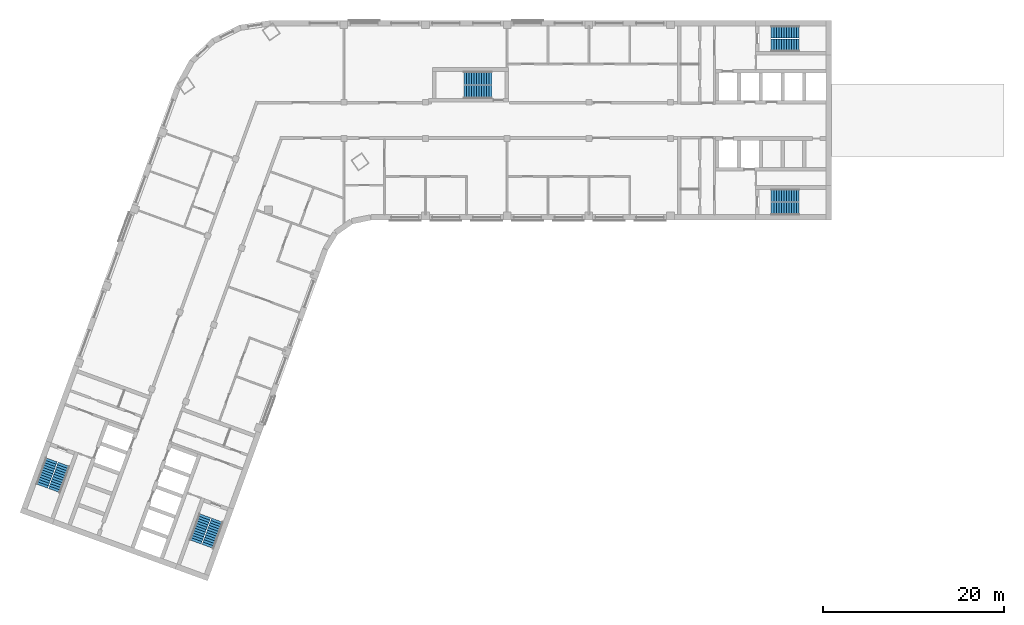
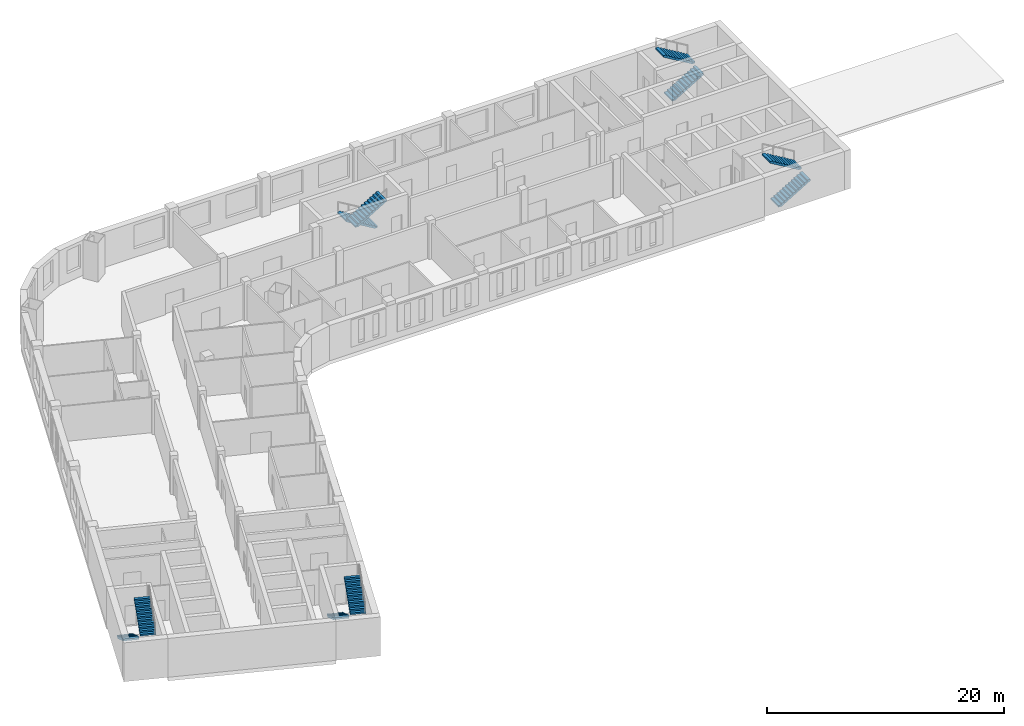
# One storey, part 7 of 8: 10 stair flights, 5 elements without a shape of their own.
"""IFC4 building model written with IfcOpenShell, lengths in metres."""

from ifc_helpers import new_model, si_unit, direction, frame, origin, place, context, subcontext, project, spatial, polyline, outline, extrude, material, type_object, element, aggregate, save


model = new_model("IFC4")

# Units and contexts
model_context = context("Model", 3, precision=1e-05, world=origin(), true_north=direction((0.0, 1.0)))
body_context = subcontext(model_context, "Body", "Model", "MODEL_VIEW")
ifc_project = project(units=[si_unit("LENGTHUNIT", "METRE"), si_unit("AREAUNIT", "SQUARE_METRE"), si_unit("VOLUMEUNIT", "CUBIC_METRE"), si_unit("PLANEANGLEUNIT", "RADIAN"), si_unit("MASSUNIT", "GRAM", prefix="KILO")], contexts=[model_context])

# Site, building, storey
site_placement = place(None, origin())
site = spatial("IfcSite", under=ifc_project, at=site_placement, CompositionType="ELEMENT")
building_placement = place(site_placement, origin())
building = spatial("IfcBuilding", under=site, at=building_placement, Name="Skarvind Civic Tower", CompositionType="ELEMENT")
storey_placement = place(building_placement, frame((0.0, 0.0, 121.0)))
storey = spatial("IfcBuildingStorey", under=building, at=storey_placement, Name="L28", CompositionType="ELEMENT", Elevation=121.0)

# Stair, stair flights
ifc_material = material(Name="Concrete C40/50", Category="concrete")
stair_type_1 = type_object("IfcStairType", Name="Exit stair 1450, half-turn, concrete", PredefinedType="HALF_TURN_STAIR", material=ifc_material)
stair_1_placement = place(storey_placement, origin())
stair_1 = element("IfcStair", 1, at=stair_1_placement, inside=storey, type_object=stair_type_1, Name="Exit stair CM", PredefinedType="HALF_TURN_STAIR")
stair_flight_type_1 = type_object("IfcStairFlightType", Name="Stair flight 1450, concrete", PredefinedType="STRAIGHT", material=ifc_material)
stair_flight_1_placement = place(storey_placement, frame((70.550048828125, 132.675048828125, 0.0), z_axis=(0.0, 0.0, 1.0), x_axis=(-1.0, 0.0, 0.0)))
stair_flight_1 = element("IfcStairFlight", 2, at=stair_flight_1_placement, type_object=stair_flight_type_1, Name="ST-CM flight 1", NumberOfRisers=12, NumberOfTreads=11, PredefinedType="STRAIGHT", RiserHeight=0.166666667, TreadLength=0.28, context=body_context, shape_type="SweptSolid", body=[
    extrude(outline(polyline([(0.0, 0.0), (0.0, 0.166748046875), (0.280029296875, 0.166748046875), (0.280029296875, 0.333251953125), (0.56005859375, 0.333251953125), (0.56005859375, 0.5), (0.840087890625, 0.5), (0.840087890625, 0.666748046875), (1.1201171875, 0.666748046875), (1.1201171875, 0.833251953125), (1.39990234375, 0.833251953125), (1.39990234375, 1.0), (1.679931640625, 1.0), (1.679931640625, 1.166748046875), (1.9599609375, 1.166748046875), (1.9599609375, 1.333251953125), (2.239990234375, 1.333251953125), (2.239990234375, 1.5), (2.52001953125, 1.5), (2.52001953125, 1.666748046875), (2.800048828125, 1.666748046875), (2.800048828125, 1.833251953125), (3.080078125, 1.833251953125), (3.080078125, 2.0), (3.080078125, 1.658935546875), (0.29296875, 0.0), (0.0, 0.0)])), frame((0.0, 0.72509765625, 0.0), z_axis=(0.0, -1.0, 0.0), x_axis=(1.0, 0.0, 0.0)), (0.0, 0.0, 1.0), 1.449951171875),
])
stair_flight_2_placement = place(storey_placement, frame((67.469970703125, 131.125, 2.0), z_axis=(0.0, 0.0, 1.0), x_axis=(1.0, 0.0, 0.0)))
stair_flight_2 = element("IfcStairFlight", 3, at=stair_flight_2_placement, type_object=stair_flight_type_1, Name="ST-CM flight 2", NumberOfRisers=12, NumberOfTreads=11, PredefinedType="STRAIGHT", RiserHeight=0.166666667, TreadLength=0.28, context=body_context, shape_type="SweptSolid", body=[
    extrude(outline(polyline([(0.0, 0.0), (0.0, 0.166748046875), (0.280029296875, 0.166748046875), (0.280029296875, 0.333251953125), (0.56005859375, 0.333251953125), (0.56005859375, 0.5), (0.840087890625, 0.5), (0.840087890625, 0.666748046875), (1.1201171875, 0.666748046875), (1.1201171875, 0.833251953125), (1.39990234375, 0.833251953125), (1.39990234375, 1.0), (1.679931640625, 1.0), (1.679931640625, 1.166748046875), (1.9599609375, 1.166748046875), (1.9599609375, 1.333251953125), (2.239990234375, 1.333251953125), (2.239990234375, 1.5), (2.52001953125, 1.5), (2.52001953125, 1.666748046875), (2.800048828125, 1.666748046875), (2.800048828125, 1.833251953125), (3.080078125, 1.833251953125), (3.080078125, 2.0), (3.080078125, 1.658935546875), (0.29296875, 0.0), (0.0, 0.0)])), frame((0.0, 0.72509765625, 0.0), z_axis=(0.0, -1.0, 0.0), x_axis=(1.0, 0.0, 0.0)), (0.0, 0.0, 1.0), 1.449951171875),
])
aggregate(stair_1, [stair_flight_1, stair_flight_2])

stair_type_2 = type_object("IfcStairType", Name="Exit stair, half-turn, concrete", PredefinedType="HALF_TURN_STAIR", material=ifc_material)
stair_2_placement = place(storey_placement, origin())
stair_2 = element("IfcStair", 4, at=stair_2_placement, inside=storey, type_object=stair_type_2, Name="Exit stair C1S", PredefinedType="HALF_TURN_STAIR")
stair_flight_type_2 = type_object("IfcStairFlightType", Name="Stair flight, concrete", PredefinedType="STRAIGHT", material=ifc_material)
stair_flight_3_placement = place(storey_placement, frame((101.35009765625, 136.27490234375, 0.0), z_axis=(0.0, 0.0, 1.0), x_axis=(1.0, 0.0, 0.0)))
stair_flight_3 = element("IfcStairFlight", 5, at=stair_flight_3_placement, type_object=stair_flight_type_2, Name="ST-C1S flight 1", NumberOfRisers=12, NumberOfTreads=11, PredefinedType="STRAIGHT", RiserHeight=0.166666667, TreadLength=0.28, context=body_context, shape_type="SweptSolid", body=[
    extrude(outline(polyline([(0.0, 0.0), (0.0, 0.166748046875), (0.280029296875, 0.166748046875), (0.280029296875, 0.333251953125), (0.56005859375, 0.333251953125), (0.56005859375, 0.5), (0.840087890625, 0.5), (0.840087890625, 0.666748046875), (1.1201171875, 0.666748046875), (1.1201171875, 0.833251953125), (1.39990234375, 0.833251953125), (1.39990234375, 1.0), (1.679931640625, 1.0), (1.679931640625, 1.166748046875), (1.9599609375, 1.166748046875), (1.9599609375, 1.333251953125), (2.239990234375, 1.333251953125), (2.239990234375, 1.5), (2.52001953125, 1.5), (2.52001953125, 1.666748046875), (2.800048828125, 1.666748046875), (2.800048828125, 1.833251953125), (3.080078125, 1.833251953125), (3.080078125, 2.0), (3.080078125, 1.658935546875), (0.29296875, 0.0), (0.0, 0.0)])), frame((0.0, 0.675048828125, 0.0), z_axis=(0.0, -1.0, 0.0), x_axis=(1.0, 0.0, 0.0)), (0.0, 0.0, 1.0), 1.35009765625),
])
stair_flight_4_placement = place(storey_placement, frame((104.429931640625, 137.72509765625, 2.0), z_axis=(0.0, 0.0, 1.0), x_axis=(-1.0, 0.0, 0.0)))
stair_flight_4 = element("IfcStairFlight", 6, at=stair_flight_4_placement, type_object=stair_flight_type_2, Name="ST-C1S flight 2", NumberOfRisers=12, NumberOfTreads=11, PredefinedType="STRAIGHT", RiserHeight=0.166666667, TreadLength=0.28, context=body_context, shape_type="SweptSolid", body=[
    extrude(outline(polyline([(0.0, 0.0), (0.0, 0.166748046875), (0.280029296875, 0.166748046875), (0.280029296875, 0.333251953125), (0.56005859375, 0.333251953125), (0.56005859375, 0.5), (0.840087890625, 0.5), (0.840087890625, 0.666748046875), (1.1201171875, 0.666748046875), (1.1201171875, 0.833251953125), (1.39990234375, 0.833251953125), (1.39990234375, 1.0), (1.679931640625, 1.0), (1.679931640625, 1.166748046875), (1.9599609375, 1.166748046875), (1.9599609375, 1.333251953125), (2.239990234375, 1.333251953125), (2.239990234375, 1.5), (2.52001953125, 1.5), (2.52001953125, 1.666748046875), (2.800048828125, 1.666748046875), (2.800048828125, 1.833251953125), (3.080078125, 1.833251953125), (3.080078125, 2.0), (3.080078125, 1.658935546875), (0.29296875, 0.0), (0.0, 0.0)])), frame((0.0, 0.675048828125, 0.0), z_axis=(0.0, -1.0, 0.0), x_axis=(1.0, 0.0, 0.0)), (0.0, 0.0, 1.0), 1.35009765625),
])
aggregate(stair_2, [stair_flight_3, stair_flight_4])

stair_3_placement = place(storey_placement, origin())
stair_3 = element("IfcStair", 7, at=stair_3_placement, inside=storey, type_object=stair_type_2, Name="Exit stair C1N", PredefinedType="HALF_TURN_STAIR")
stair_flight_5_placement = place(storey_placement, frame((101.35009765625, 118.27490234375, 0.0), z_axis=(0.0, 0.0, 1.0), x_axis=(1.0, 0.0, 0.0)))
stair_flight_5 = element("IfcStairFlight", 8, at=stair_flight_5_placement, type_object=stair_flight_type_2, Name="ST-C1N flight 1", NumberOfRisers=12, NumberOfTreads=11, PredefinedType="STRAIGHT", RiserHeight=0.166666667, TreadLength=0.28, context=body_context, shape_type="SweptSolid", body=[
    extrude(outline(polyline([(0.0, 0.0), (0.0, 0.166748046875), (0.280029296875, 0.166748046875), (0.280029296875, 0.333251953125), (0.56005859375, 0.333251953125), (0.56005859375, 0.5), (0.840087890625, 0.5), (0.840087890625, 0.666748046875), (1.1201171875, 0.666748046875), (1.1201171875, 0.833251953125), (1.39990234375, 0.833251953125), (1.39990234375, 1.0), (1.679931640625, 1.0), (1.679931640625, 1.166748046875), (1.9599609375, 1.166748046875), (1.9599609375, 1.333251953125), (2.239990234375, 1.333251953125), (2.239990234375, 1.5), (2.52001953125, 1.5), (2.52001953125, 1.666748046875), (2.800048828125, 1.666748046875), (2.800048828125, 1.833251953125), (3.080078125, 1.833251953125), (3.080078125, 2.0), (3.080078125, 1.658935546875), (0.29296875, 0.0), (0.0, 0.0)])), frame((0.0, 0.675048828125, 0.0), z_axis=(0.0, -1.0, 0.0), x_axis=(1.0, 0.0, 0.0)), (0.0, 0.0, 1.0), 1.35009765625),
])
stair_flight_6_placement = place(storey_placement, frame((104.429931640625, 119.72509765625, 2.0), z_axis=(0.0, 0.0, 1.0), x_axis=(-1.0, 0.0, 0.0)))
stair_flight_6 = element("IfcStairFlight", 9, at=stair_flight_6_placement, type_object=stair_flight_type_2, Name="ST-C1N flight 2", NumberOfRisers=12, NumberOfTreads=11, PredefinedType="STRAIGHT", RiserHeight=0.166666667, TreadLength=0.28, context=body_context, shape_type="SweptSolid", body=[
    extrude(outline(polyline([(0.0, 0.0), (0.0, 0.166748046875), (0.280029296875, 0.166748046875), (0.280029296875, 0.333251953125), (0.56005859375, 0.333251953125), (0.56005859375, 0.5), (0.840087890625, 0.5), (0.840087890625, 0.666748046875), (1.1201171875, 0.666748046875), (1.1201171875, 0.833251953125), (1.39990234375, 0.833251953125), (1.39990234375, 1.0), (1.679931640625, 1.0), (1.679931640625, 1.166748046875), (1.9599609375, 1.166748046875), (1.9599609375, 1.333251953125), (2.239990234375, 1.333251953125), (2.239990234375, 1.5), (2.52001953125, 1.5), (2.52001953125, 1.666748046875), (2.800048828125, 1.666748046875), (2.800048828125, 1.833251953125), (3.080078125, 1.833251953125), (3.080078125, 2.0), (3.080078125, 1.658935546875), (0.29296875, 0.0), (0.0, 0.0)])), frame((0.0, 0.675048828125, 0.0), z_axis=(0.0, -1.0, 0.0), x_axis=(1.0, 0.0, 0.0)), (0.0, 0.0, 1.0), 1.35009765625),
])
aggregate(stair_3, [stair_flight_5, stair_flight_6])

stair_4_placement = place(storey_placement, origin())
stair_4 = element("IfcStair", 10, at=stair_4_placement, inside=storey, type_object=stair_type_2, Name="Exit stair C2S", PredefinedType="HALF_TURN_STAIR")
stair_flight_7_placement = place(storey_placement, frame((38.949462890625, 84.43408203125, 0.0), z_axis=(0.0, 0.0, 1.0), x_axis=(-0.342020143326, -0.939692620786, 0.0)))
stair_flight_7 = element("IfcStairFlight", 11, at=stair_flight_7_placement, type_object=stair_flight_type_2, Name="ST-C2S flight 1", NumberOfRisers=12, NumberOfTreads=11, PredefinedType="STRAIGHT", RiserHeight=0.166666667, TreadLength=0.28, context=body_context, shape_type="SweptSolid", body=[
    extrude(outline(polyline([(0.0, 0.0), (0.0, 0.166748046875), (0.280029296875, 0.166748046875), (0.280029296875, 0.333251953125), (0.56005859375, 0.333251953125), (0.56005859375, 0.5), (0.840087890625, 0.5), (0.840087890625, 0.666748046875), (1.1201171875, 0.666748046875), (1.1201171875, 0.833251953125), (1.39990234375, 0.833251953125), (1.39990234375, 1.0), (1.679931640625, 1.0), (1.679931640625, 1.166748046875), (1.9599609375, 1.166748046875), (1.9599609375, 1.333251953125), (2.239990234375, 1.333251953125), (2.239990234375, 1.5), (2.52001953125, 1.5), (2.52001953125, 1.666748046875), (2.800048828125, 1.666748046875), (2.800048828125, 1.833251953125), (3.080078125, 1.833251953125), (3.080078125, 2.0), (3.080078125, 1.658935546875), (0.29296875, 0.0), (0.0, 0.0)])), frame((0.0, 0.675048828125, 0.0), z_axis=(0.0, -1.0, 0.0), x_axis=(1.0, 0.0, 0.0)), (0.0, 0.0, 1.0), 1.35009765625),
])
stair_flight_8_placement = place(storey_placement, frame((39.258544921875, 81.0439453125, 2.0), z_axis=(0.0, 0.0, 1.0), x_axis=(0.342020143326, 0.939692620786, 0.0)))
stair_flight_8 = element("IfcStairFlight", 12, at=stair_flight_8_placement, type_object=stair_flight_type_2, Name="ST-C2S flight 2", NumberOfRisers=12, NumberOfTreads=11, PredefinedType="STRAIGHT", RiserHeight=0.166666667, TreadLength=0.28, context=body_context, shape_type="SweptSolid", body=[
    extrude(outline(polyline([(0.0, 0.0), (0.0, 0.166748046875), (0.280029296875, 0.166748046875), (0.280029296875, 0.333251953125), (0.56005859375, 0.333251953125), (0.56005859375, 0.5), (0.840087890625, 0.5), (0.840087890625, 0.666748046875), (1.1201171875, 0.666748046875), (1.1201171875, 0.833251953125), (1.39990234375, 0.833251953125), (1.39990234375, 1.0), (1.679931640625, 1.0), (1.679931640625, 1.166748046875), (1.9599609375, 1.166748046875), (1.9599609375, 1.333251953125), (2.239990234375, 1.333251953125), (2.239990234375, 1.5), (2.52001953125, 1.5), (2.52001953125, 1.666748046875), (2.800048828125, 1.666748046875), (2.800048828125, 1.833251953125), (3.080078125, 1.833251953125), (3.080078125, 2.0), (3.080078125, 1.658935546875), (0.29296875, 0.0), (0.0, 0.0)])), frame((0.0, 0.675048828125, 0.0), z_axis=(0.0, -1.0, 0.0), x_axis=(1.0, 0.0, 0.0)), (0.0, 0.0, 1.0), 1.35009765625),
])
aggregate(stair_4, [stair_flight_7, stair_flight_8])

stair_5_placement = place(storey_placement, origin())
stair_5 = element("IfcStair", 13, at=stair_5_placement, inside=storey, type_object=stair_type_2, Name="Exit stair C2N", PredefinedType="HALF_TURN_STAIR")
stair_flight_9_placement = place(storey_placement, frame((22.034912109375, 90.590576171875, 0.0), z_axis=(0.0, 0.0, 1.0), x_axis=(-0.342020143326, -0.939692620786, 0.0)))
stair_flight_9 = element("IfcStairFlight", 14, at=stair_flight_9_placement, type_object=stair_flight_type_2, Name="ST-C2N flight 1", NumberOfRisers=12, NumberOfTreads=11, PredefinedType="STRAIGHT", RiserHeight=0.166666667, TreadLength=0.28, context=body_context, shape_type="SweptSolid", body=[
    extrude(outline(polyline([(0.0, 0.0), (0.0, 0.166748046875), (0.280029296875, 0.166748046875), (0.280029296875, 0.333251953125), (0.56005859375, 0.333251953125), (0.56005859375, 0.5), (0.840087890625, 0.5), (0.840087890625, 0.666748046875), (1.1201171875, 0.666748046875), (1.1201171875, 0.833251953125), (1.39990234375, 0.833251953125), (1.39990234375, 1.0), (1.679931640625, 1.0), (1.679931640625, 1.166748046875), (1.9599609375, 1.166748046875), (1.9599609375, 1.333251953125), (2.239990234375, 1.333251953125), (2.239990234375, 1.5), (2.52001953125, 1.5), (2.52001953125, 1.666748046875), (2.800048828125, 1.666748046875), (2.800048828125, 1.833251953125), (3.080078125, 1.833251953125), (3.080078125, 2.0), (3.080078125, 1.658935546875), (0.29296875, 0.0), (0.0, 0.0)])), frame((0.0, 0.675048828125, 0.0), z_axis=(0.0, -1.0, 0.0), x_axis=(1.0, 0.0, 0.0)), (0.0, 0.0, 1.0), 1.35009765625),
])
stair_flight_10_placement = place(storey_placement, frame((22.343994140625, 87.2001953125, 2.0), z_axis=(0.0, 0.0, 1.0), x_axis=(0.342020143326, 0.939692620786, 0.0)))
stair_flight_10 = element("IfcStairFlight", 15, at=stair_flight_10_placement, type_object=stair_flight_type_2, Name="ST-C2N flight 2", NumberOfRisers=12, NumberOfTreads=11, PredefinedType="STRAIGHT", RiserHeight=0.166666667, TreadLength=0.28, context=body_context, shape_type="SweptSolid", body=[
    extrude(outline(polyline([(0.0, 0.0), (0.0, 0.166748046875), (0.280029296875, 0.166748046875), (0.280029296875, 0.333251953125), (0.56005859375, 0.333251953125), (0.56005859375, 0.5), (0.840087890625, 0.5), (0.840087890625, 0.666748046875), (1.1201171875, 0.666748046875), (1.1201171875, 0.833251953125), (1.39990234375, 0.833251953125), (1.39990234375, 1.0), (1.679931640625, 1.0), (1.679931640625, 1.166748046875), (1.9599609375, 1.166748046875), (1.9599609375, 1.333251953125), (2.239990234375, 1.333251953125), (2.239990234375, 1.5), (2.52001953125, 1.5), (2.52001953125, 1.666748046875), (2.800048828125, 1.666748046875), (2.800048828125, 1.833251953125), (3.080078125, 1.833251953125), (3.080078125, 2.0), (3.080078125, 1.658935546875), (0.29296875, 0.0), (0.0, 0.0)])), frame((0.0, 0.675048828125, 0.0), z_axis=(0.0, -1.0, 0.0), x_axis=(1.0, 0.0, 0.0)), (0.0, 0.0, 1.0), 1.35009765625),
])
aggregate(stair_5, [stair_flight_9, stair_flight_10])

save(model, "model.ifc")
